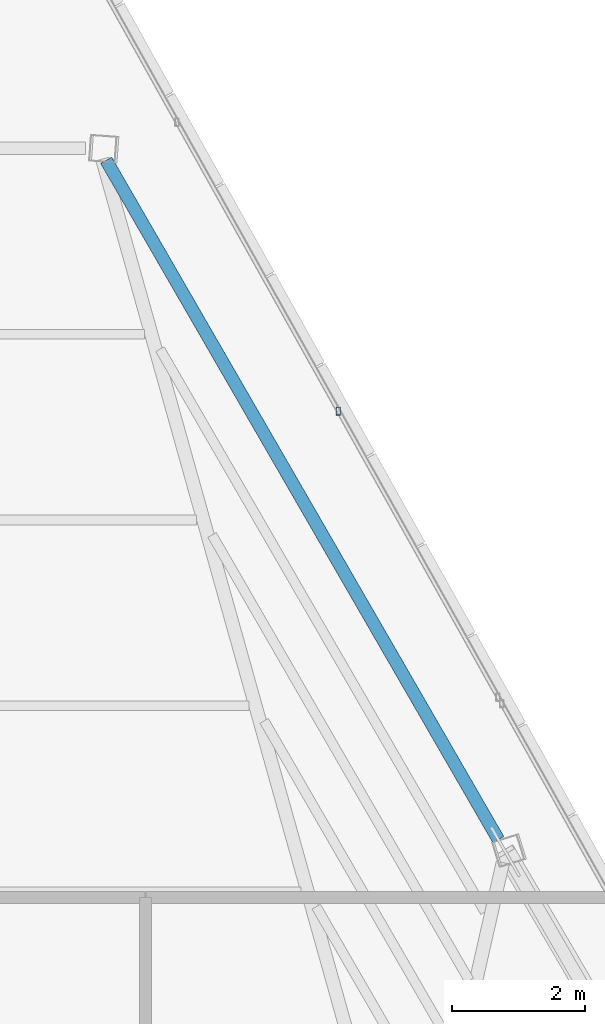
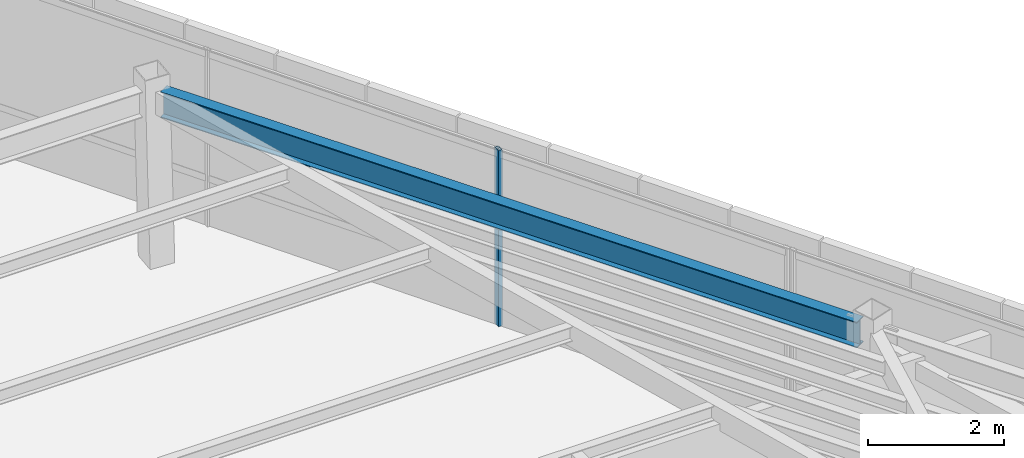
# One storey, part 35 of 44: 1 beam, 1 member, 1 element without a shape of its own.
"""IFC4 building model written with IfcOpenShell, lengths in metres."""

from ifc_helpers import new_model, si_unit, direction, frame, origin, origin_2d, place, context, subcontext, project, spatial, hollow_rectangle, i_section, extrude, source, transform, mapped, material, material_profile, profile_set, type_object, type_shapes, element, aggregate, save


model = new_model("IFC4")

# Units and contexts
model_context = context("Model", 3, precision=1e-05, world=origin(), true_north=direction((0.0, 1.0)))
body_context = subcontext(model_context, "Body", "Model", "MODEL_VIEW")
ifc_project = project(units=[si_unit("LENGTHUNIT", "METRE"), si_unit("AREAUNIT", "SQUARE_METRE"), si_unit("VOLUMEUNIT", "CUBIC_METRE"), si_unit("PLANEANGLEUNIT", "RADIAN"), si_unit("MASSUNIT", "GRAM", prefix="KILO")], contexts=[model_context])

# Site, building, storey
site_placement = place(None, origin())
site = spatial("IfcSite", under=ifc_project, at=site_placement, CompositionType="ELEMENT")
building_placement = place(site_placement, origin())
building = spatial("IfcBuilding", under=site, at=building_placement, Name="Caelisora Broadcast Tower", CompositionType="ELEMENT")
storey_placement = place(building_placement, frame((0.0, 0.0, 296.60009765625)))
storey = spatial("IfcBuildingStorey", under=building, at=storey_placement, Name="L78", CompositionType="ELEMENT", Elevation=296.60009765625)

# Beam
ifc_material_1 = material(Name="Steel Grade 350 (AS/NZS 3679.1)", Category="steel")
ifc_material_profile_1 = material_profile(ifc_material_1, i_section(OverallWidth=0.19091796875, OverallDepth=0.46044921875, WebThickness=0.010009765625, FlangeThickness=0.01611328125, at=origin_2d()), Name="Steel Grade 350 (AS/NZS 3679.1)")
ifc_profile_set_1 = profile_set([ifc_material_profile_1], Name="Steel Grade 350 (AS/NZS 3679.1)")
beam_type = type_object("IfcBeamType", Name="PG06", PredefinedType="BEAM", material=ifc_profile_set_1)
shared_shape_1 = source(origin(), body_context, "Body", "SweptSolid", [
    extrude(i_section(OverallWidth=0.19091796875, OverallDepth=0.46044921875, WebThickness=0.010009765625, FlangeThickness=0.01611328125, at=origin_2d()), origin(), (0.0, 0.0, 1.0), 11.78466796875),
])
type_shapes(beam_type, [shared_shape_1])
beam_placement = place(storey_placement, frame((46.80078125, 36.365478515625, 2.919677734375), z_axis=(-0.500000414809, 0.866025164294, 0.0), x_axis=(-0.866025164294, -0.500000414809, 0.0)))
element("IfcBeam", 1, at=beam_placement, inside=storey, type_object=beam_type, Name="L78 beam PG06", PredefinedType="BEAM", context=body_context, shape_type="MappedRepresentation", body=[
    mapped(shared_shape_1, transform((0.0, 0.0, 0.0), scale=1.0)),
])

# Curtain wall, member
ifc_material_2 = material(Name="Unitised Aluminium Insulated Shadow-Box Spandrel Curtain Wall", Category="aluminium")
curtain_wall_type = type_object("IfcCurtainWallType", Name="CW-SP3", PredefinedType="NOTDEFINED", material=ifc_material_2)
curtain_wall_placement = place(storey_placement, origin())
curtain_wall = element("IfcCurtainWall", 2, at=curtain_wall_placement, inside=storey, type_object=curtain_wall_type, Name="L78 curtain wall CW-SP3", PredefinedType="NOTDEFINED")
ifc_material_3 = material(Name="Aluminium 6063-T6 Anodised Terracotta Bronze", Category="aluminium")
ifc_material_profile_2 = material_profile(ifc_material_3, hollow_rectangle(XDim=0.06005859375, YDim=0.1201171875, WallThickness=0.0029296875, at=origin_2d()), Name="Aluminium 6063-T6 Anodised Terracotta Bronze")
ifc_profile_set_2 = profile_set([ifc_material_profile_2], Name="Aluminium 6063-T6 Anodised Terracotta Bronze")
member_type = type_object("IfcMemberType", Name="CWM-04", PredefinedType="MULLION", material=ifc_profile_set_2)
shared_shape_2 = source(origin(), body_context, "Body", "SweptSolid", [
    extrude(hollow_rectangle(XDim=0.06005859375, YDim=0.1201171875, WallThickness=0.0029296875, at=origin_2d()), origin(), (0.0, 0.0, 1.0), 3.14990234375),
])
type_shapes(member_type, [shared_shape_2])
member_placement = place(storey_placement, frame((44.3955078125, 42.802978515625, 0.0), z_axis=(0.0, 0.0, 1.0), x_axis=(1.0, 0.0, 0.0)))
member = element("IfcMember", 3, at=member_placement, type_object=member_type, Name="L78-CW-B01 mullion #2", PredefinedType="MULLION", context=body_context, shape_type="MappedRepresentation", body=[
    mapped(shared_shape_2, transform((0.0, 0.0, 0.0), scale=1.0)),
])
aggregate(curtain_wall, [member])

save(model, "model.ifc")
